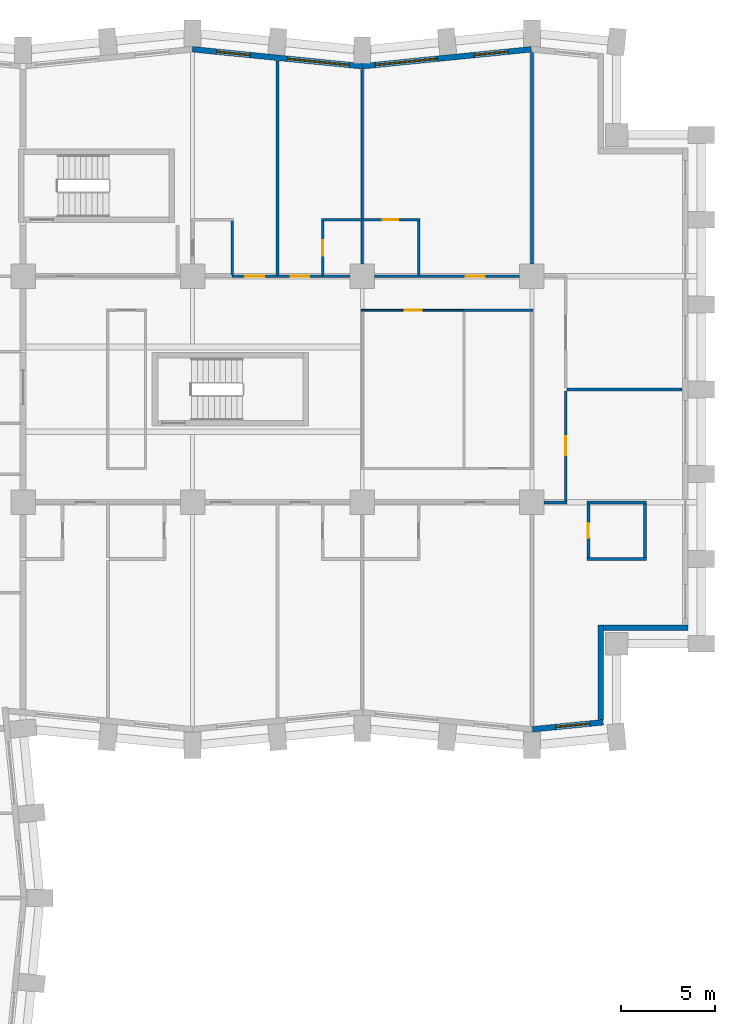
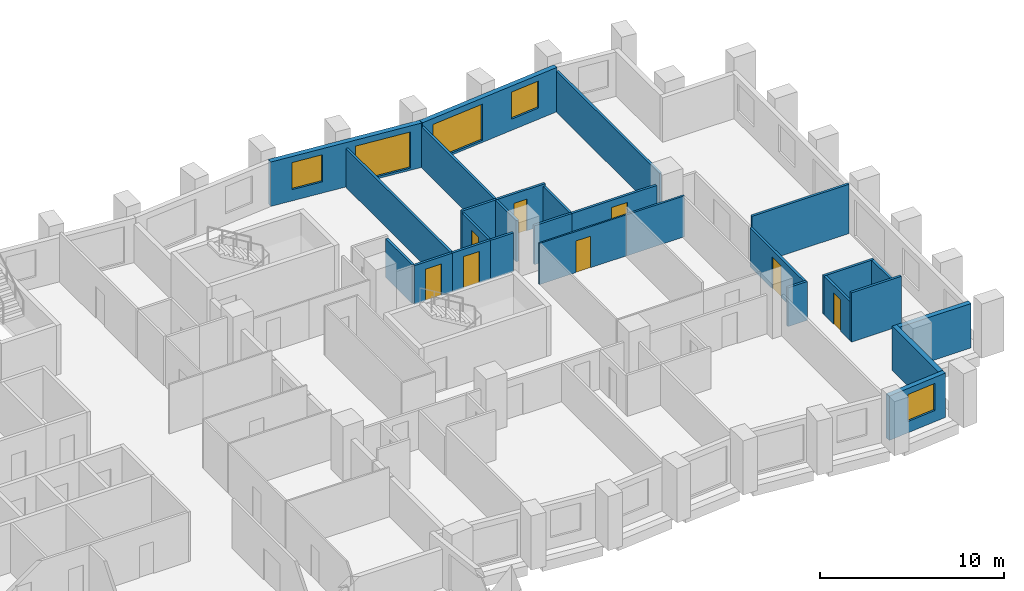
# One storey, part 9 of 12: 28 walls, 8 doors, 5 windows, 13 openings.
"""IFC4 building model written with IfcOpenShell, lengths in metres."""

from ifc_helpers import new_model, si_unit, direction, frame, frame_2d, origin, place, context, subcontext, project, spatial, rectangle, extrude, material, layer, layer_set, type_object, element, fill, save


model = new_model("IFC4")

# Units and contexts
model_context = context("Model", 3, precision=1e-05, world=origin(), true_north=direction((0.0, 1.0)))
body_context = subcontext(model_context, "Body", "Model", "MODEL_VIEW")
ifc_project = project(units=[si_unit("LENGTHUNIT", "METRE"), si_unit("AREAUNIT", "SQUARE_METRE"), si_unit("VOLUMEUNIT", "CUBIC_METRE"), si_unit("PLANEANGLEUNIT", "RADIAN"), si_unit("MASSUNIT", "GRAM", prefix="KILO")], contexts=[model_context])

# Site, building, storey
site_placement = place(None, origin())
site = spatial("IfcSite", under=ifc_project, at=site_placement, CompositionType="ELEMENT")
building_placement = place(site_placement, origin())
building = spatial("IfcBuilding", under=site, at=building_placement, Name="Brondeck Convention Tower", CompositionType="ELEMENT")
storey_placement = place(building_placement, frame((0.0, 0.0, 51.89990234375)))
storey = spatial("IfcBuildingStorey", under=building, at=storey_placement, Name="L10", CompositionType="ELEMENT", Elevation=51.89990234375)

# Wall, opening, window
ifc_material_1 = material(Name="Precast concrete C50/60 bronze finish", Category="concrete")
ifc_layer_1 = layer(ifc_material_1, 0.070068359375, Name="Bronze precast facing")
ifc_material_2 = material(Name="Mineral wool")
ifc_layer_2 = layer(ifc_material_2, 0.159912109375, Name="Insulation")
ifc_material_3 = material(Name="Concrete C35/45", Category="concrete")
ifc_layer_3 = layer(ifc_material_3, 0.070068359375, Name="Backing")
ifc_layer_set_1 = layer_set([ifc_layer_1, ifc_layer_2, ifc_layer_3], Name="External infill wall, precast concrete C50/60 bronze facing")
wall_type_1 = type_object("IfcWallType", Name="External infill wall, precast concrete C50/60 bronze facing", PredefinedType="SOLIDWALL", material=ifc_layer_set_1)
wall_1_placement = place(storey_placement, frame((66.78515625, 27.332763671875, 0.0), z_axis=(0.0, 0.0, 1.0), x_axis=(-0.995038471088, -0.099490909409, 0.0)))
wall_1 = element("IfcWall", 1, at=wall_1_placement, inside=storey, type_object=wall_type_1, Name="ENV-EW-L10-P0-A-S-06", PredefinedType="SOLIDWALL", context=body_context, shape_type="SweptSolid", body=[
    extrude(rectangle(XDim=3.774169921875, YDim=0.300048828125, at=frame_2d((1.88720703125, 0.0))), origin(), (0.0, 0.0, 1.0), 2.9501953125),
])
opening_1_placement = place(wall_1_placement, frame((0.727783203125, 0.0, 0.75)))
opening_1 = element("IfcOpeningElement", 2, at=opening_1_placement, cuts=wall_1, Name="Opening W10", PredefinedType="OPENING", context=body_context, shape_type="SweptSolid", body=[
    extrude(rectangle(XDim=1.800048828125, YDim=1.800048828125, at=frame_2d((0.89990234375, 0.89990234375))), frame((0.0, 0.159912109375, 0.0), z_axis=(0.0, -1.0, 0.0), x_axis=(1.0, 0.0, 0.0)), (0.0, 0.0, 1.0), 0.320068359375),
])
ifc_material_4 = material(Name="Bronze tinted double glazing", Category="glass")
window_type_1 = type_object("IfcWindowType", Name="Punched window, bronze tinted", PartitioningType="SINGLE_PANEL", PredefinedType="WINDOW", material=ifc_material_4)
window_1_placement = place(opening_1_placement, origin())
window_1 = element("IfcWindow", 3, at=window_1_placement, inside=storey, type_object=window_type_1, Name="ENV-WN-L10-P0-A-S-06", OverallHeight=1.800048828125, OverallWidth=1.800048828125, PartitioningType="SINGLE_PANEL", PredefinedType="WINDOW", context=body_context, shape_type="SweptSolid", body=[
    extrude(rectangle(XDim=1.800048828125, YDim=1.800048828125, at=frame_2d((0.89990234375, 0.89990234375))), frame((0.0, 0.030029296875, 0.0), z_axis=(0.0, -1.0, 0.0), x_axis=(1.0, 0.0, 0.0)), (0.0, 0.0, 1.0), 0.06005859375),
])
fill(opening_1, window_1)

# Walls
wall_2_placement = place(storey_placement, frame((66.64990234375, 32.5, 0.0), z_axis=(0.0, 0.0, 1.0), x_axis=(0.0, -1.0, 0.0)))
element("IfcWall", 4, at=wall_2_placement, inside=storey, type_object=wall_type_1, Name="ENV-EW-L10-P0-NC-SEA72-01", PredefinedType="SOLIDWALL", context=body_context, shape_type="SweptSolid", body=[
    extrude(rectangle(XDim=5.02880859375, YDim=0.300048828125, at=frame_2d((2.514404296875, 0.0))), origin(), (0.0, 0.0, 1.0), 2.9501953125),
])
wall_3_placement = place(storey_placement, frame((71.300048828125, 32.35009765625, 0.0), z_axis=(0.0, 0.0, 1.0), x_axis=(-1.0, 0.0, 0.0)))
element("IfcWall", 5, at=wall_3_placement, inside=storey, type_object=wall_type_1, Name="ENV-EW-L10-P0-NC-SEA72-02", PredefinedType="SOLIDWALL", context=body_context, shape_type="SweptSolid", body=[
    extrude(rectangle(XDim=4.5, YDim=0.300048828125, at=frame_2d((2.25, 0.0))), origin(), (0.0, 0.0, 1.0), 2.9501953125),
])

# Wall, openings, windows
wall_4_placement = place(storey_placement, frame((53.985107421875, 62.144287109375, 0.0), z_axis=(0.0, 0.0, 1.0), x_axis=(0.995037993253, 0.099495688264, 0.0)))
wall_4 = element("IfcWall", 6, at=wall_4_placement, inside=storey, type_object=wall_type_1, Name="ENV-EW-L10-P0-A-N-13", PredefinedType="SOLIDWALL", context=body_context, shape_type="SweptSolid", body=[
    extrude(rectangle(XDim=9.030029296875, YDim=0.300048828125, at=frame_2d((4.51513671875, 0.0))), origin(), (0.0, 0.0, 1.0), 2.9501953125),
])
opening_2_placement = place(wall_4_placement, frame((0.711181640625, 0.0, 0.14990234375)))
opening_2 = element("IfcOpeningElement", 7, at=opening_2_placement, cuts=wall_4, Name="Opening W9", PredefinedType="OPENING", context=body_context, shape_type="SweptSolid", body=[
    extrude(rectangle(XDim=3.300048828125, YDim=2.39990234375, at=frame_2d((1.64990234375, 1.199951171875))), frame((0.0, 0.159912109375, 0.0), z_axis=(0.0, -1.0, 0.0), x_axis=(1.0, 0.0, 0.0)), (0.0, 0.0, 1.0), 0.320068359375),
])
opening_3_placement = place(wall_4_placement, frame((5.983642578125, 0.0, 0.75)))
opening_3 = element("IfcOpeningElement", 8, at=opening_3_placement, cuts=wall_4, Name="Opening W10", PredefinedType="OPENING", context=body_context, shape_type="SweptSolid", body=[
    extrude(rectangle(XDim=1.800048828125, YDim=1.800048828125, at=frame_2d((0.89990234375, 0.89990234375))), frame((0.0, 0.159912109375, 0.0), z_axis=(0.0, -1.0, 0.0), x_axis=(1.0, 0.0, 0.0)), (0.0, 0.0, 1.0), 0.320068359375),
])
window_type_2 = type_object("IfcWindowType", Name="Glazed flute window, bronze tinted", PartitioningType="SINGLE_PANEL", PredefinedType="WINDOW", material=ifc_material_4)
window_2_placement = place(opening_2_placement, origin())
window_2 = element("IfcWindow", 9, at=window_2_placement, inside=storey, type_object=window_type_2, Name="ENV-WN-L10-P0-A-N-12", OverallHeight=2.39990234375, OverallWidth=3.300048828125, PartitioningType="SINGLE_PANEL", PredefinedType="WINDOW", context=body_context, shape_type="SweptSolid", body=[
    extrude(rectangle(XDim=3.300048828125, YDim=2.39990234375, at=frame_2d((1.64990234375, 1.199951171875))), frame((0.0, 0.030029296875, 0.0), z_axis=(0.0, -1.0, 0.0), x_axis=(1.0, 0.0, 0.0)), (0.0, 0.0, 1.0), 0.06005859375),
])
fill(opening_2, window_2)
window_3_placement = place(opening_3_placement, origin())
window_3 = element("IfcWindow", 10, at=window_3_placement, inside=storey, type_object=window_type_1, Name="ENV-WN-L10-P0-A-N-13", OverallHeight=1.800048828125, OverallWidth=1.800048828125, PartitioningType="SINGLE_PANEL", PredefinedType="WINDOW", context=body_context, shape_type="SweptSolid", body=[
    extrude(rectangle(XDim=1.800048828125, YDim=1.800048828125, at=frame_2d((0.89990234375, 0.89990234375))), frame((0.0, 0.030029296875, 0.0), z_axis=(0.0, -1.0, 0.0), x_axis=(1.0, 0.0, 0.0)), (0.0, 0.0, 1.0), 0.06005859375),
])
fill(opening_3, window_3)

wall_5_placement = place(storey_placement, frame((44.985107421875, 63.04736328125, 0.0), z_axis=(0.0, 0.0, 1.0), x_axis=(0.995035316196, -0.099522457379, 0.0)))
wall_5 = element("IfcWall", 11, at=wall_5_placement, inside=storey, type_object=wall_type_1, Name="ENV-EW-L10-P0-A-N-11", PredefinedType="SOLIDWALL", context=body_context, shape_type="SweptSolid", body=[
    extrude(rectangle(XDim=9.030029296875, YDim=0.300048828125, at=frame_2d((4.51513671875, 0.0))), origin(), (0.0, 0.0, 1.0), 2.9501953125),
])
opening_4_placement = place(wall_5_placement, frame((1.291259765625, 0.0, 0.75)))
opening_4 = element("IfcOpeningElement", 12, at=opening_4_placement, cuts=wall_5, Name="Opening W10", PredefinedType="OPENING", context=body_context, shape_type="SweptSolid", body=[
    extrude(rectangle(XDim=1.800048828125, YDim=1.800048828125, at=frame_2d((0.89990234375, 0.89990234375))), frame((0.0, 0.159912109375, 0.0), z_axis=(0.0, -1.0, 0.0), x_axis=(1.0, 0.0, 0.0)), (0.0, 0.0, 1.0), 0.320068359375),
])
opening_5_placement = place(wall_5_placement, frame((5.063720703125, 0.0, 0.14990234375)))
opening_5 = element("IfcOpeningElement", 13, at=opening_5_placement, cuts=wall_5, Name="Opening W9", PredefinedType="OPENING", context=body_context, shape_type="SweptSolid", body=[
    extrude(rectangle(XDim=3.300048828125, YDim=2.39990234375, at=frame_2d((1.64990234375, 1.199951171875))), frame((0.0, 0.159912109375, 0.0), z_axis=(0.0, -1.0, 0.0), x_axis=(1.0, 0.0, 0.0)), (0.0, 0.0, 1.0), 0.320068359375),
])
window_4_placement = place(opening_5_placement, origin())
window_4 = element("IfcWindow", 14, at=window_4_placement, inside=storey, type_object=window_type_2, Name="ENV-WN-L10-P0-A-N-11", OverallHeight=2.39990234375, OverallWidth=3.300048828125, PartitioningType="SINGLE_PANEL", PredefinedType="WINDOW", context=body_context, shape_type="SweptSolid", body=[
    extrude(rectangle(XDim=3.300048828125, YDim=2.39990234375, at=frame_2d((1.64990234375, 1.199951171875))), frame((0.0, 0.030029296875, 0.0), z_axis=(0.0, -1.0, 0.0), x_axis=(1.0, 0.0, 0.0)), (0.0, 0.0, 1.0), 0.06005859375),
])
fill(opening_5, window_4)
window_5_placement = place(opening_4_placement, origin())
window_5 = element("IfcWindow", 15, at=window_5_placement, inside=storey, type_object=window_type_1, Name="ENV-WN-L10-P0-A-N-10", OverallHeight=1.800048828125, OverallWidth=1.800048828125, PartitioningType="SINGLE_PANEL", PredefinedType="WINDOW", context=body_context, shape_type="SweptSolid", body=[
    extrude(rectangle(XDim=1.800048828125, YDim=1.800048828125, at=frame_2d((0.89990234375, 0.89990234375))), frame((0.0, 0.030029296875, 0.0), z_axis=(0.0, -1.0, 0.0), x_axis=(1.0, 0.0, 0.0)), (0.0, 0.0, 1.0), 0.06005859375),
])
fill(opening_4, window_5)

# Walls
ifc_material_5 = material(Name="Double gypsum board acoustic wall")
ifc_layer_4 = layer(ifc_material_5, 0.14990234375)
ifc_layer_set_2 = layer_set([ifc_layer_4], Name="Guest room party wall 150")
wall_type_2 = type_object("IfcWallType", Name="Guest room party wall 150", PredefinedType="PARTITIONING", material=ifc_layer_set_2)
wall_6_placement = place(storey_placement, frame((65.925048828125, 36.0, 0.0), z_axis=(0.0, 0.0, 1.0), x_axis=(1.0, 0.0, 0.0)))
element("IfcWall", 16, at=wall_6_placement, inside=storey, type_object=wall_type_2, Name="FLR-L10-W055", PredefinedType="PARTITIONING", context=body_context, shape_type="SweptSolid", body=[
    extrude(rectangle(XDim=3.14990234375, YDim=0.14990234375, at=frame_2d((1.574951171875, 0.0))), origin(), (0.0, 0.0, 1.0), 3.280029296875),
])
wall_7_placement = place(storey_placement, frame((69.0, 36.074951171875, 0.0), z_axis=(0.0, 0.0, 1.0), x_axis=(0.0, 1.0, 0.0)))
element("IfcWall", 17, at=wall_7_placement, inside=storey, type_object=wall_type_2, Name="FLR-L10-W059", PredefinedType="PARTITIONING", context=body_context, shape_type="SweptSolid", body=[
    extrude(rectangle(XDim=2.85009765625, YDim=0.14990234375, at=frame_2d((1.425048828125, 0.0))), origin(), (0.0, 0.0, 1.0), 2.580078125),
])

# Wall, opening, door
wall_8_placement = place(storey_placement, frame((66.0, 38.925048828125, 0.0), z_axis=(0.0, 0.0, 1.0), x_axis=(0.0, -1.0, 0.0)))
wall_8 = element("IfcWall", 18, at=wall_8_placement, inside=storey, type_object=wall_type_2, Name="FLR-L10-W066", PredefinedType="PARTITIONING", context=body_context, shape_type="SweptSolid", body=[
    extrude(rectangle(XDim=2.85009765625, YDim=0.14990234375, at=frame_2d((1.425048828125, 0.0))), origin(), (0.0, 0.0, 1.0), 2.580078125),
])
opening_6_placement = place(wall_8_placement, frame((1.02490234375, 0.0, 0.0)))
opening_6 = element("IfcOpeningElement", 19, at=opening_6_placement, cuts=wall_8, Name="Opening H2-021", PredefinedType="OPENING", context=body_context, shape_type="SweptSolid", body=[
    extrude(rectangle(XDim=0.800048828125, YDim=2.10009765625, at=frame_2d((0.39990234375, 1.050048828125))), frame((0.0, 0.0849609375, 0.0), z_axis=(0.0, -1.0, 0.0), x_axis=(1.0, 0.0, 0.0)), (0.0, 0.0, 1.0), 0.169921875),
])
ifc_material_6 = material(Name="Solid timber door leaf", Category="wood")
door_type_1 = type_object("IfcDoorType", Name="En-suite door 800", OperationType="NOTDEFINED", PredefinedType="DOOR", material=ifc_material_6)
door_1_placement = place(opening_6_placement, origin())
door_1 = element("IfcDoor", 20, at=door_1_placement, inside=storey, type_object=door_type_1, Name="Door H2-021", OperationType="SINGLE_SWING_RIGHT", OverallHeight=2.10009765625, OverallWidth=0.800048828125, PredefinedType="DOOR", context=body_context, shape_type="SweptSolid", body=[
    extrude(rectangle(XDim=0.800048828125, YDim=2.10009765625, at=frame_2d((0.39990234375, 1.050048828125))), frame((0.0, 0.02490234375, 0.0), z_axis=(0.0, -1.0, 0.0), x_axis=(1.0, 0.0, 0.0)), (0.0, 0.0, 1.0), 0.050048828125),
])
fill(opening_6, door_1)

# Walls
wall_9_placement = place(storey_placement, frame((64.875, 39.0, 0.0), z_axis=(0.0, 0.0, 1.0), x_axis=(-1.0, 0.0, 0.0)))
element("IfcWall", 21, at=wall_9_placement, inside=storey, type_object=wall_type_2, Name="FLR-L10-W076", PredefinedType="PARTITIONING", context=body_context, shape_type="SweptSolid", body=[
    extrude(rectangle(XDim=1.219970703125, YDim=0.14990234375, at=frame_2d((0.60986328125, 0.0))), origin(), (0.0, 0.0, 1.0), 2.580078125),
])
wall_10_placement = place(storey_placement, frame((69.074951171875, 39.0, 0.0), z_axis=(0.0, 0.0, 1.0), x_axis=(-1.0, 0.0, 0.0)))
element("IfcWall", 22, at=wall_10_placement, inside=storey, type_object=wall_type_2, Name="FLR-L10-W077", PredefinedType="PARTITIONING", context=body_context, shape_type="SweptSolid", body=[
    extrude(rectangle(XDim=3.14990234375, YDim=0.14990234375, at=frame_2d((1.574951171875, 0.0))), origin(), (0.0, 0.0, 1.0), 2.580078125),
])

# Wall, opening, door
wall_11_placement = place(storey_placement, frame((64.800048828125, 44.925048828125, 0.0), z_axis=(0.0, 0.0, 1.0), x_axis=(0.0, -1.0, 0.0)))
wall_11 = element("IfcWall", 23, at=wall_11_placement, inside=storey, type_object=wall_type_2, Name="FLR-L10-W088", PredefinedType="PARTITIONING", context=body_context, shape_type="SweptSolid", body=[
    extrude(rectangle(XDim=5.85009765625, YDim=0.14990234375, at=frame_2d((2.925048828125, 0.0))), origin(), (0.0, 0.0, 1.0), 2.580078125),
])
opening_7_placement = place(wall_11_placement, frame((2.425048828125, 0.0, 0.0)))
opening_7 = element("IfcOpeningElement", 24, at=opening_7_placement, cuts=wall_11, Name="Opening H2-020", PredefinedType="OPENING", context=body_context, shape_type="SweptSolid", body=[
    extrude(rectangle(XDim=1.0, YDim=2.10009765625, at=frame_2d((0.5, 1.050048828125))), frame((0.0, 0.0849609375, 0.0), z_axis=(0.0, -1.0, 0.0), x_axis=(1.0, 0.0, 0.0)), (0.0, 0.0, 1.0), 0.169921875),
])
ifc_material_7 = material(Name="Solid timber fire door leaf", Category="wood")
door_type_2 = type_object("IfcDoorType", Name="Guest room door 1000", OperationType="NOTDEFINED", PredefinedType="DOOR", material=ifc_material_7)
door_2_placement = place(opening_7_placement, origin())
door_2 = element("IfcDoor", 25, at=door_2_placement, inside=storey, type_object=door_type_2, Name="Door H2-020", OperationType="SINGLE_SWING_LEFT", OverallHeight=2.10009765625, OverallWidth=1.0, PredefinedType="DOOR", context=body_context, shape_type="SweptSolid", body=[
    extrude(rectangle(XDim=1.0, YDim=2.10009765625, at=frame_2d((0.5, 1.050048828125))), frame((0.0, 0.02490234375, 0.0), z_axis=(0.0, -1.0, 0.0), x_axis=(1.0, 0.0, 0.0)), (0.0, 0.0, 1.0), 0.050048828125),
])
fill(opening_7, door_2)

# Wall
wall_12_placement = place(storey_placement, frame((70.97998046875, 45.0, 0.0), z_axis=(0.0, 0.0, 1.0), x_axis=(-1.0, 0.0, 0.0)))
element("IfcWall", 26, at=wall_12_placement, inside=storey, type_object=wall_type_2, Name="FLR-L10-W089", PredefinedType="PARTITIONING", context=body_context, shape_type="SweptSolid", body=[
    extrude(rectangle(XDim=6.10498046875, YDim=0.14990234375, at=frame_2d((3.052490234375, 0.0))), origin(), (0.0, 0.0, 1.0), 3.280029296875),
])

# Wall, opening, door
wall_13_placement = place(storey_placement, frame((47.10009765625, 51.0, 0.0), z_axis=(0.0, 0.0, 1.0), x_axis=(1.0, 0.0, 0.0)))
wall_13 = element("IfcWall", 27, at=wall_13_placement, inside=storey, type_object=wall_type_2, Name="FLR-L10-W108", PredefinedType="PARTITIONING", context=body_context, shape_type="SweptSolid", body=[
    extrude(rectangle(XDim=2.39990234375, YDim=0.14990234375, at=frame_2d((1.199951171875, 0.0))), origin(), (0.0, 0.0, 1.0), 2.580078125),
])
opening_8_placement = place(wall_13_placement, frame((0.699951171875, 0.0, 0.0)))
opening_8 = element("IfcOpeningElement", 28, at=opening_8_placement, cuts=wall_13, Name="Opening H2-002", PredefinedType="OPENING", context=body_context, shape_type="SweptSolid", body=[
    extrude(rectangle(XDim=1.0, YDim=2.10009765625, at=frame_2d((0.5, 1.050048828125))), frame((0.0, 0.0849609375, 0.0), z_axis=(0.0, -1.0, 0.0), x_axis=(1.0, 0.0, 0.0)), (0.0, 0.0, 1.0), 0.169921875),
])
door_3_placement = place(opening_8_placement, origin())
door_3 = element("IfcDoor", 29, at=door_3_placement, inside=storey, type_object=door_type_2, Name="Door H2-002", OperationType="SINGLE_SWING_LEFT", OverallHeight=2.10009765625, OverallWidth=1.0, PredefinedType="DOOR", context=body_context, shape_type="SweptSolid", body=[
    extrude(rectangle(XDim=1.0, YDim=2.10009765625, at=frame_2d((0.5, 1.050048828125))), frame((0.0, 0.02490234375, 0.0), z_axis=(0.0, -1.0, 0.0), x_axis=(1.0, 0.0, 0.0)), (0.0, 0.0, 1.0), 0.050048828125),
])
fill(opening_8, door_3)

wall_14_placement = place(storey_placement, frame((49.5, 51.0, 0.0), z_axis=(0.0, 0.0, 1.0), x_axis=(1.0, 0.0, 0.0)))
wall_14 = element("IfcWall", 30, at=wall_14_placement, inside=storey, type_object=wall_type_2, Name="FLR-L10-W109", PredefinedType="PARTITIONING", context=body_context, shape_type="SweptSolid", body=[
    extrude(rectangle(XDim=2.39990234375, YDim=0.14990234375, at=frame_2d((1.199951171875, 0.0))), origin(), (0.0, 0.0, 1.0), 2.580078125),
])
opening_9_placement = place(wall_14_placement, frame((0.699951171875, 0.0, 0.0)))
opening_9 = element("IfcOpeningElement", 31, at=opening_9_placement, cuts=wall_14, Name="Opening H2-004", PredefinedType="OPENING", context=body_context, shape_type="SweptSolid", body=[
    extrude(rectangle(XDim=1.0, YDim=2.10009765625, at=frame_2d((0.5, 1.050048828125))), frame((0.0, 0.0849609375, 0.0), z_axis=(0.0, -1.0, 0.0), x_axis=(1.0, 0.0, 0.0)), (0.0, 0.0, 1.0), 0.169921875),
])
door_4_placement = place(opening_9_placement, origin())
door_4 = element("IfcDoor", 32, at=door_4_placement, inside=storey, type_object=door_type_2, Name="Door H2-004", OperationType="SINGLE_SWING_LEFT", OverallHeight=2.10009765625, OverallWidth=1.0, PredefinedType="DOOR", context=body_context, shape_type="SweptSolid", body=[
    extrude(rectangle(XDim=1.0, YDim=2.10009765625, at=frame_2d((0.5, 1.050048828125))), frame((0.0, 0.02490234375, 0.0), z_axis=(0.0, -1.0, 0.0), x_axis=(1.0, 0.0, 0.0)), (0.0, 0.0, 1.0), 0.050048828125),
])
fill(opening_9, door_4)

# Walls
wall_15_placement = place(storey_placement, frame((51.89990234375, 51.0, 0.0), z_axis=(0.0, 0.0, 1.0), x_axis=(1.0, 0.0, 0.0)))
element("IfcWall", 33, at=wall_15_placement, inside=storey, type_object=wall_type_2, Name="FLR-L10-W110", PredefinedType="PARTITIONING", context=body_context, shape_type="SweptSolid", body=[
    extrude(rectangle(XDim=1.445068359375, YDim=0.14990234375, at=frame_2d((0.72265625, 0.0))), origin(), (0.0, 0.0, 1.0), 2.580078125),
])
wall_16_placement = place(storey_placement, frame((54.655029296875, 51.0, 0.0), z_axis=(0.0, 0.0, 1.0), x_axis=(1.0, 0.0, 0.0)))
element("IfcWall", 34, at=wall_16_placement, inside=storey, type_object=wall_type_2, Name="FLR-L10-W111", PredefinedType="PARTITIONING", context=body_context, shape_type="SweptSolid", body=[
    extrude(rectangle(XDim=2.344970703125, YDim=0.14990234375, at=frame_2d((1.17236328125, 0.0))), origin(), (0.0, 0.0, 1.0), 2.580078125),
])

# Wall, opening, door
wall_17_placement = place(storey_placement, frame((57.0, 51.0, 0.0), z_axis=(0.0, 0.0, 1.0), x_axis=(1.0, 0.0, 0.0)))
wall_17 = element("IfcWall", 35, at=wall_17_placement, inside=storey, type_object=wall_type_2, Name="FLR-L10-W112", PredefinedType="PARTITIONING", context=body_context, shape_type="SweptSolid", body=[
    extrude(rectangle(XDim=5.344970703125, YDim=0.14990234375, at=frame_2d((2.67236328125, 0.0))), origin(), (0.0, 0.0, 1.0), 2.580078125),
])
opening_10_placement = place(wall_17_placement, frame((2.5, 0.0, 0.0)))
opening_10 = element("IfcOpeningElement", 36, at=opening_10_placement, cuts=wall_17, Name="Opening H2-006", PredefinedType="OPENING", context=body_context, shape_type="SweptSolid", body=[
    extrude(rectangle(XDim=1.0, YDim=2.10009765625, at=frame_2d((0.5, 1.050048828125))), frame((0.0, 0.0849609375, 0.0), z_axis=(0.0, -1.0, 0.0), x_axis=(1.0, 0.0, 0.0)), (0.0, 0.0, 1.0), 0.169921875),
])
door_5_placement = place(opening_10_placement, origin())
door_5 = element("IfcDoor", 37, at=door_5_placement, inside=storey, type_object=door_type_2, Name="Door H2-006", OperationType="SINGLE_SWING_RIGHT", OverallHeight=2.10009765625, OverallWidth=1.0, PredefinedType="DOOR", context=body_context, shape_type="SweptSolid", body=[
    extrude(rectangle(XDim=1.0, YDim=2.10009765625, at=frame_2d((0.5, 1.050048828125))), frame((0.0, 0.02490234375, 0.0), z_axis=(0.0, -1.0, 0.0), x_axis=(1.0, 0.0, 0.0)), (0.0, 0.0, 1.0), 0.050048828125),
])
fill(opening_10, door_5)

# Walls
for number, where, z_axis, x_axis, name in (
    (38, (47.10009765625, 51.074951171875, 0.0), (0.0, 0.0, 1.0), (0.0, 1.0, 0.0), "FLR-L10-W115"),
    (39, (57.0, 51.074951171875, 0.0), (0.0, 0.0, 1.0), (0.0, 1.0, 0.0), "FLR-L10-W116"),
):
    element("IfcWall", number, at=place(storey_placement, frame(where, z_axis=z_axis, x_axis=x_axis)), inside=storey, type_object=wall_type_2, Name=name, PredefinedType="PARTITIONING", context=body_context, shape_type="SweptSolid", body=[
        extrude(rectangle(XDim=2.85009765625, YDim=0.14990234375, at=frame_2d((1.425048828125, 0.0))), origin(), (0.0, 0.0, 1.0), 2.580078125),
    ])

# Wall, opening, door
wall_18_placement = place(storey_placement, frame((51.89990234375, 53.925048828125, 0.0), z_axis=(0.0, 0.0, 1.0), x_axis=(0.0, -1.0, 0.0)))
wall_18 = element("IfcWall", 40, at=wall_18_placement, inside=storey, type_object=wall_type_2, Name="FLR-L10-W121", PredefinedType="PARTITIONING", context=body_context, shape_type="SweptSolid", body=[
    extrude(rectangle(XDim=2.85009765625, YDim=0.14990234375, at=frame_2d((1.425048828125, 0.0))), origin(), (0.0, 0.0, 1.0), 2.580078125),
])
opening_11_placement = place(wall_18_placement, frame((1.02490234375, 0.0, 0.0)))
opening_11 = element("IfcOpeningElement", 41, at=opening_11_placement, cuts=wall_18, Name="Opening H2-005", PredefinedType="OPENING", context=body_context, shape_type="SweptSolid", body=[
    extrude(rectangle(XDim=0.800048828125, YDim=2.10009765625, at=frame_2d((0.39990234375, 1.050048828125))), frame((0.0, 0.0849609375, 0.0), z_axis=(0.0, -1.0, 0.0), x_axis=(1.0, 0.0, 0.0)), (0.0, 0.0, 1.0), 0.169921875),
])
door_6_placement = place(opening_11_placement, origin())
door_6 = element("IfcDoor", 42, at=door_6_placement, inside=storey, type_object=door_type_1, Name="Door H2-005", OperationType="SINGLE_SWING_LEFT", OverallHeight=2.10009765625, OverallWidth=0.800048828125, PredefinedType="DOOR", context=body_context, shape_type="SweptSolid", body=[
    extrude(rectangle(XDim=0.800048828125, YDim=2.10009765625, at=frame_2d((0.39990234375, 1.050048828125))), frame((0.0, 0.02490234375, 0.0), z_axis=(0.0, -1.0, 0.0), x_axis=(1.0, 0.0, 0.0)), (0.0, 0.0, 1.0), 0.050048828125),
])
fill(opening_11, door_6)

# Walls
wall_19_placement = place(storey_placement, frame((54.0, 53.925048828125, 0.0), z_axis=(0.0, 0.0, 1.0), x_axis=(0.0, -1.0, 0.0)))
element("IfcWall", 43, at=wall_19_placement, inside=storey, type_object=wall_type_2, Name="FLR-L10-W122", PredefinedType="PARTITIONING", context=body_context, shape_type="SweptSolid", body=[
    extrude(rectangle(XDim=2.27001953125, YDim=0.14990234375, at=frame_2d((1.135009765625, 0.0))), origin(), (0.0, 0.0, 1.0), 2.72998046875),
])
wall_20_placement = place(storey_placement, frame((54.0, 54.0, 0.0), z_axis=(0.0, 0.0, 1.0), x_axis=(-1.0, 0.0, 0.0)))
element("IfcWall", 44, at=wall_20_placement, inside=storey, type_object=wall_type_2, Name="FLR-L10-W125", PredefinedType="PARTITIONING", context=body_context, shape_type="SweptSolid", body=[
    extrude(rectangle(XDim=2.175048828125, YDim=0.14990234375, at=frame_2d((1.08740234375, 0.0))), origin(), (0.0, 0.0, 1.0), 2.72998046875),
])

# Wall, opening, door
wall_21_placement = place(storey_placement, frame((57.074951171875, 54.0, 0.0), z_axis=(0.0, 0.0, 1.0), x_axis=(-1.0, 0.0, 0.0)))
wall_21 = element("IfcWall", 45, at=wall_21_placement, inside=storey, type_object=wall_type_2, Name="FLR-L10-W126", PredefinedType="PARTITIONING", context=body_context, shape_type="SweptSolid", body=[
    extrude(rectangle(XDim=3.074951171875, YDim=0.14990234375, at=frame_2d((1.53759765625, 0.0))), origin(), (0.0, 0.0, 1.0), 2.72998046875),
])
opening_12_placement = place(wall_21_placement, frame((1.175048828125, 0.0, 0.0)))
opening_12 = element("IfcOpeningElement", 46, at=opening_12_placement, cuts=wall_21, Name="Opening H2-007", PredefinedType="OPENING", context=body_context, shape_type="SweptSolid", body=[
    extrude(rectangle(XDim=0.800048828125, YDim=2.10009765625, at=frame_2d((0.39990234375, 1.050048828125))), frame((0.0, 0.0849609375, 0.0), z_axis=(0.0, -1.0, 0.0), x_axis=(1.0, 0.0, 0.0)), (0.0, 0.0, 1.0), 0.169921875),
])
door_7_placement = place(opening_12_placement, origin())
door_7 = element("IfcDoor", 47, at=door_7_placement, inside=storey, type_object=door_type_1, Name="Door H2-007", OperationType="SINGLE_SWING_RIGHT", OverallHeight=2.10009765625, OverallWidth=0.800048828125, PredefinedType="DOOR", context=body_context, shape_type="SweptSolid", body=[
    extrude(rectangle(XDim=0.800048828125, YDim=2.10009765625, at=frame_2d((0.39990234375, 1.050048828125))), frame((0.0, 0.02490234375, 0.0), z_axis=(0.0, -1.0, 0.0), x_axis=(1.0, 0.0, 0.0)), (0.0, 0.0, 1.0), 0.050048828125),
])
fill(opening_12, door_7)

# Walls
wall_22_placement = place(storey_placement, frame((54.0, 61.97509765625, 0.0), z_axis=(0.0, 0.0, 1.0), x_axis=(0.0, -1.0, 0.0)))
element("IfcWall", 48, at=wall_22_placement, inside=storey, type_object=wall_type_2, Name="FLR-L10-W128", PredefinedType="PARTITIONING", context=body_context, shape_type="SweptSolid", body=[
    extrude(rectangle(XDim=7.900146484375, YDim=0.14990234375, at=frame_2d((3.9501953125, 0.0))), origin(), (0.0, 0.0, 1.0), 2.72998046875),
])
wall_23_placement = place(storey_placement, frame((49.5, 62.425048828125, 0.0), z_axis=(0.0, 0.0, 1.0), x_axis=(0.0, -1.0, 0.0)))
element("IfcWall", 49, at=wall_23_placement, inside=storey, type_object=wall_type_2, Name="FLR-L10-W130", PredefinedType="PARTITIONING", context=body_context, shape_type="SweptSolid", body=[
    extrude(rectangle(XDim=11.35009765625, YDim=0.14990234375, at=frame_2d((5.675048828125, 0.0))), origin(), (0.0, 0.0, 1.0), 2.580078125),
])
wall_24_placement = place(storey_placement, frame((63.0, 62.875, 0.0), z_axis=(0.0, 0.0, 1.0), x_axis=(0.0, -1.0, 0.0)))
element("IfcWall", 50, at=wall_24_placement, inside=storey, type_object=wall_type_2, Name="FLR-L10-W131", PredefinedType="PARTITIONING", context=body_context, shape_type="SweptSolid", body=[
    extrude(rectangle(XDim=11.219970703125, YDim=0.14990234375, at=frame_2d((5.60986328125, 0.0))), origin(), (0.0, 0.0, 1.0), 2.72998046875),
])
ifc_material_8 = material(Name="Gypsum board shaft wall on steel studs", Category="steel")
ifc_layer_5 = layer(ifc_material_8, 0.125)
ifc_layer_set_3 = layer_set([ifc_layer_5], Name="Riser wall 125")
wall_type_3 = type_object("IfcWallType", Name="Riser wall 125", PredefinedType="PARTITIONING", material=ifc_layer_set_3)
wall_25_placement = place(storey_placement, frame((63.0625, 49.199951171875, 0.0), z_axis=(0.0, 0.0, 1.0), x_axis=(-1.0, 0.0, 0.0)))
element("IfcWall", 51, at=wall_25_placement, inside=storey, type_object=wall_type_3, Name="FLR-L10-W099", PredefinedType="PARTITIONING", context=body_context, shape_type="SweptSolid", body=[
    extrude(rectangle(XDim=3.66259765625, YDim=0.125, at=frame_2d((1.831298828125, 0.0))), origin(), (0.0, 0.0, 1.0), 2.72998046875),
])

# Wall, opening, door
ifc_material_9 = material(Name="Gypsum board partition on steel studs", Category="steel")
ifc_layer_6 = layer(ifc_material_9, 0.10009765625)
ifc_layer_set_4 = layer_set([ifc_layer_6], Name="Room partition 100")
wall_type_4 = type_object("IfcWallType", Name="Room partition 100", PredefinedType="PARTITIONING", material=ifc_layer_set_4)
wall_26_placement = place(storey_placement, frame((59.39990234375, 49.199951171875, 0.0), z_axis=(0.0, 0.0, 1.0), x_axis=(-1.0, 0.0, 0.0)))
wall_26 = element("IfcWall", 52, at=wall_26_placement, inside=storey, type_object=wall_type_4, Name="FLR-L10-W098", PredefinedType="PARTITIONING", context=body_context, shape_type="SweptSolid", body=[
    extrude(rectangle(XDim=5.449951171875, YDim=0.10009765625, at=frame_2d((2.72509765625, 0.0))), origin(), (0.0, 0.0, 1.0), 2.72998046875),
])
opening_13_placement = place(wall_26_placement, frame((2.25, 0.0, 0.0)))
opening_13 = element("IfcOpeningElement", 53, at=opening_13_placement, cuts=wall_26, Name="Opening H2-017", PredefinedType="OPENING", context=body_context, shape_type="SweptSolid", body=[
    extrude(rectangle(XDim=0.89990234375, YDim=2.10009765625, at=frame_2d((0.449951171875, 1.050048828125))), frame((0.0, 0.06005859375, 0.0), z_axis=(0.0, -1.0, 0.0), x_axis=(1.0, 0.0, 0.0)), (0.0, 0.0, 1.0), 0.1201171875),
])
door_type_3 = type_object("IfcDoorType", Name="Single door 900", OperationType="NOTDEFINED", PredefinedType="DOOR", material=ifc_material_6)
door_8_placement = place(opening_13_placement, origin())
door_8 = element("IfcDoor", 54, at=door_8_placement, inside=storey, type_object=door_type_3, Name="Door H2-017", OperationType="SINGLE_SWING_LEFT", OverallHeight=2.10009765625, OverallWidth=0.89990234375, PredefinedType="DOOR", context=body_context, shape_type="SweptSolid", body=[
    extrude(rectangle(XDim=0.89990234375, YDim=2.10009765625, at=frame_2d((0.449951171875, 1.050048828125))), frame((0.0, 0.02490234375, 0.0), z_axis=(0.0, -1.0, 0.0), x_axis=(1.0, 0.0, 0.0)), (0.0, 0.0, 1.0), 0.050048828125),
])
fill(opening_13, door_8)

save(model, "model.ifc")
